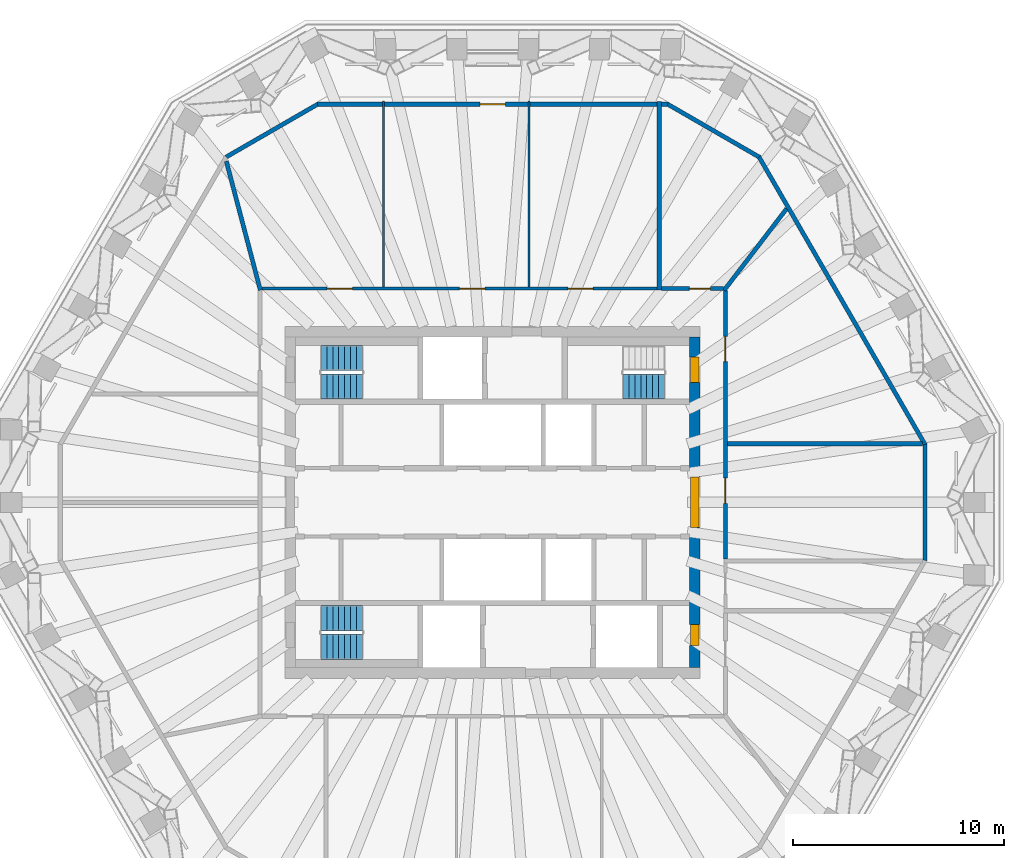
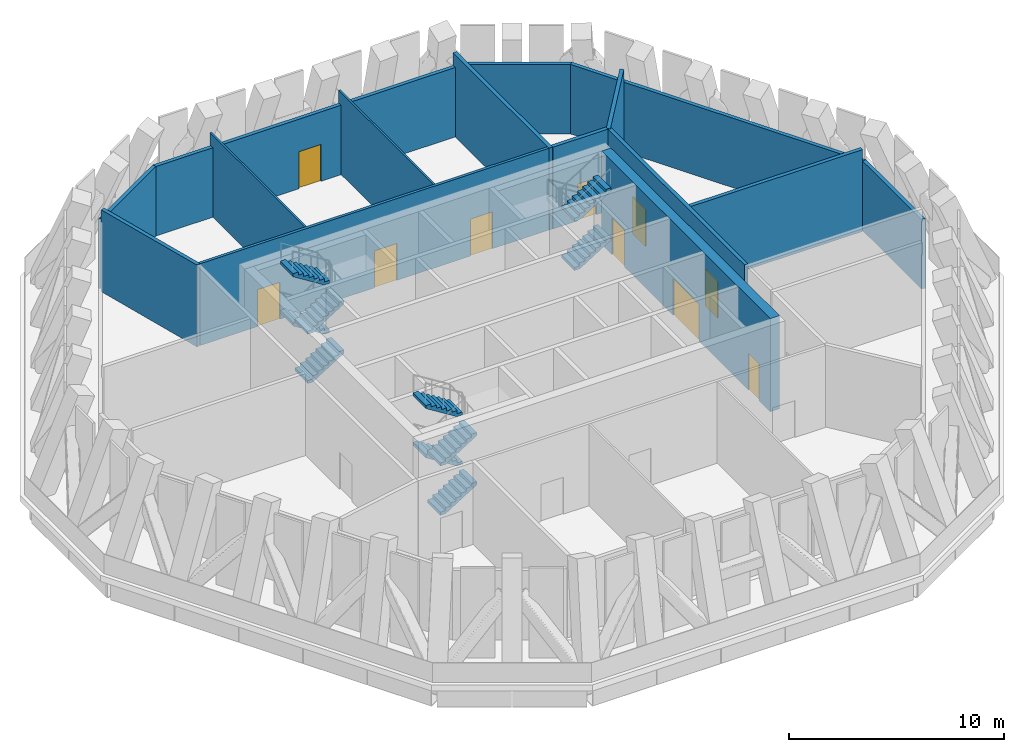
# One storey, part 6 of 9: 15 walls, 10 doors, 10 stair flights, 10 openings, 3 elements without a shape of their own.
"""IFC4 building model written with IfcOpenShell, lengths in metres."""

from ifc_helpers import new_model, si_unit, direction, frame, frame_2d, origin, place, context, subcontext, project, spatial, polyline, rectangle, outline, extrude, material, layer, layer_set, type_object, element, fill, aggregate, save


model = new_model("IFC4")

# Units and contexts
model_context = context("Model", 3, precision=1e-05, world=origin(), true_north=direction((0.0, 1.0)))
body_context = subcontext(model_context, "Body", "Model", "MODEL_VIEW")
ifc_project = project(units=[si_unit("LENGTHUNIT", "METRE"), si_unit("AREAUNIT", "SQUARE_METRE"), si_unit("VOLUMEUNIT", "CUBIC_METRE"), si_unit("PLANEANGLEUNIT", "RADIAN"), si_unit("MASSUNIT", "GRAM", prefix="KILO")], contexts=[model_context])

# Site, building, storey
site_placement = place(None, origin())
site = spatial("IfcSite", under=ifc_project, at=site_placement, CompositionType="ELEMENT")
building_placement = place(site_placement, origin())
building = spatial("IfcBuilding", under=site, at=building_placement, Name="Frailejon Research Tower", CompositionType="ELEMENT")
storey_placement = place(building_placement, frame((0.0, 0.0, 303.0)))
storey = spatial("IfcBuildingStorey", under=building, at=storey_placement, Name="L67", CompositionType="ELEMENT", Elevation=303.0)

# Wall, openings, doors
ifc_material_1 = material(Name="Concrete C50/60", Category="concrete")
ifc_layer_1 = layer(ifc_material_1, 0.5)
ifc_layer_set_1 = layer_set([ifc_layer_1], Name="Core shear wall 500 C50/60")
wall_type_1 = type_object("IfcWallType", Name="Core shear wall 500 C50/60", PredefinedType="SHEAR", material=ifc_layer_set_1)
wall_1_placement = place(storey_placement, frame((9.60009765625, -7.85009765625, 0.0), z_axis=(0.0, 0.0, 1.0), x_axis=(0.0, 1.0, 0.0)))
wall_1 = element("IfcWall", 1, at=wall_1_placement, inside=storey, type_object=wall_type_1, Name="Core shear wall", PredefinedType="SHEAR", context=body_context, shape_type="SweptSolid", body=[
    extrude(rectangle(XDim=15.7001953125, YDim=0.5, at=frame_2d((7.85009765625, 0.0))), origin(), (0.0, 0.0, 1.0), 5.300048828125),
])
opening_1_placement = place(wall_1_placement, frame((6.64990234375, 0.0, 0.0)))
opening_1 = element("IfcOpeningElement", 2, at=opening_1_placement, cuts=wall_1, Name="Opening D2", PredefinedType="OPENING", context=body_context, shape_type="SweptSolid", body=[
    extrude(rectangle(XDim=2.39990234375, YDim=2.10009765625, at=frame_2d((1.199951171875, 1.050048828125))), frame((0.0, 0.260009765625, 0.0), z_axis=(0.0, -1.0, 0.0), x_axis=(1.0, 0.0, 0.0)), (0.0, 0.0, 1.0), 0.52001953125),
])
opening_2_placement = place(wall_1_placement, frame((13.550048828125, 0.0, 0.0)))
opening_2 = element("IfcOpeningElement", 3, at=opening_2_placement, cuts=wall_1, Name="Opening D1", PredefinedType="OPENING", context=body_context, shape_type="SweptSolid", body=[
    extrude(rectangle(XDim=1.199951171875, YDim=2.10009765625, at=frame_2d((0.60009765625, 1.050048828125))), frame((0.0, 0.260009765625, 0.0), z_axis=(0.0, -1.0, 0.0), x_axis=(1.0, 0.0, 0.0)), (0.0, 0.0, 1.0), 0.52001953125),
])
opening_3_placement = place(wall_1_placement, frame((1.050048828125, 0.0, 0.0)))
opening_3 = element("IfcOpeningElement", 4, at=opening_3_placement, cuts=wall_1, Name="Opening D4", PredefinedType="OPENING", context=body_context, shape_type="SweptSolid", body=[
    extrude(rectangle(XDim=1.0, YDim=2.10009765625, at=frame_2d((0.5, 1.050048828125))), frame((0.0, 0.260009765625, 0.0), z_axis=(0.0, -1.0, 0.0), x_axis=(1.0, 0.0, 0.0)), (0.0, 0.0, 1.0), 0.52001953125),
])
ifc_material_2 = material(Name="Steel", Category="steel")
door_type_1 = type_object("IfcDoorType", Name="Lobby double door", OperationType="DOUBLE_DOOR_SINGLE_SWING", PredefinedType="DOOR", material=ifc_material_2)
door_1_placement = place(opening_1_placement, origin())
door_1 = element("IfcDoor", 5, at=door_1_placement, inside=storey, type_object=door_type_1, Name="Lobby door", OperationType="DOUBLE_DOOR_SINGLE_SWING", OverallHeight=2.10009765625, OverallWidth=2.39990234375, PredefinedType="DOOR", context=body_context, shape_type="SweptSolid", body=[
    extrude(rectangle(XDim=2.39990234375, YDim=2.10009765625, at=frame_2d((1.199951171875, 1.050048828125))), frame((0.0, 0.199951171875, 0.0), z_axis=(0.0, -1.0, 0.0), x_axis=(1.0, 0.0, 0.0)), (0.0, 0.0, 1.0), 0.39990234375),
])
fill(opening_1, door_1)
ifc_material_3 = material(Name="Steel", Category="steel")
door_type_2 = type_object("IfcDoorType", Name="Service door", OperationType="SINGLE_SWING_LEFT", PredefinedType="DOOR", material=ifc_material_3)
door_2_placement = place(opening_3_placement, origin())
door_2 = element("IfcDoor", 6, at=door_2_placement, inside=storey, type_object=door_type_2, Name="Riser door", OperationType="SINGLE_SWING_RIGHT", OverallHeight=2.10009765625, OverallWidth=1.0, PredefinedType="DOOR", context=body_context, shape_type="SweptSolid", body=[
    extrude(rectangle(XDim=1.0, YDim=2.10009765625, at=frame_2d((0.5, 1.050048828125))), frame((0.0, 0.199951171875, 0.0), z_axis=(0.0, -1.0, 0.0), x_axis=(1.0, 0.0, 0.0)), (0.0, 0.0, 1.0), 0.39990234375),
])
fill(opening_3, door_2)
ifc_material_4 = material(Name="Steel", Category="steel")
door_type_3 = type_object("IfcDoorType", Name="Stair door", OperationType="SINGLE_SWING_LEFT", PredefinedType="DOOR", material=ifc_material_4)
door_3_placement = place(opening_2_placement, origin())
door_3 = element("IfcDoor", 7, at=door_3_placement, inside=storey, type_object=door_type_3, Name="Stair door ST3", OperationType="SINGLE_SWING_LEFT", OverallHeight=2.10009765625, OverallWidth=1.199951171875, PredefinedType="DOOR", context=body_context, shape_type="SweptSolid", body=[
    extrude(rectangle(XDim=1.199951171875, YDim=2.10009765625, at=frame_2d((0.60009765625, 1.050048828125))), frame((0.0, 0.199951171875, 0.0), z_axis=(0.0, -1.0, 0.0), x_axis=(1.0, 0.0, 0.0)), (0.0, 0.0, 1.0), 0.39990234375),
])
fill(opening_2, door_3)

ifc_material_5 = material(Name="Gypsum board and masonry partition", Category="masonry")
ifc_layer_2 = layer(ifc_material_5, 0.14990234375)
ifc_layer_set_2 = layer_set([ifc_layer_2], Name="Corridor wall EI 60, gypsum on steel studs 150")
wall_type_2 = type_object("IfcWallType", Name="Corridor wall EI 60, gypsum on steel studs 150", PredefinedType="PARTITIONING", material=ifc_layer_set_2)
wall_2_placement = place(storey_placement, frame((-10.949951171875, 10.14990234375, 0.0), z_axis=(0.0, 0.0, 1.0), x_axis=(1.0, 0.0, 0.0)))
wall_2 = element("IfcWall", 8, at=wall_2_placement, inside=storey, type_object=wall_type_2, Name="T:IW:L67:001", PredefinedType="PARTITIONING", context=body_context, shape_type="SweptSolid", body=[
    extrude(rectangle(XDim=18.755615234375, YDim=0.14990234375, at=frame_2d((9.3779296875, 0.0))), origin(), (0.0, 0.0, 1.0), 4.64990234375),
])
opening_4_placement = place(wall_2_placement, frame((14.523681640625, 0.0, 0.0)))
opening_4 = element("IfcOpeningElement", 9, at=opening_4_placement, cuts=wall_2, Name="Opening D1149", PredefinedType="OPENING", context=body_context, shape_type="SweptSolid", body=[
    extrude(rectangle(XDim=1.199951171875, YDim=2.10009765625, at=frame_2d((0.60009765625, 1.050048828125))), frame((0.0, 0.0849609375, 0.0), z_axis=(0.0, -1.0, 0.0), x_axis=(1.0, 0.0, 0.0)), (0.0, 0.0, 1.0), 0.169921875),
])
opening_5_placement = place(wall_2_placement, frame((9.37451171875, 0.0, 0.0)))
opening_5 = element("IfcOpeningElement", 10, at=opening_5_placement, cuts=wall_2, Name="Opening D1150", PredefinedType="OPENING", context=body_context, shape_type="SweptSolid", body=[
    extrude(rectangle(XDim=1.199951171875, YDim=2.10009765625, at=frame_2d((0.60009765625, 1.050048828125))), frame((0.0, 0.0849609375, 0.0), z_axis=(0.0, -1.0, 0.0), x_axis=(1.0, 0.0, 0.0)), (0.0, 0.0, 1.0), 0.169921875),
])
opening_6_placement = place(wall_2_placement, frame((3.090576171875, 0.0, 0.0)))
opening_6 = element("IfcOpeningElement", 11, at=opening_6_placement, cuts=wall_2, Name="Opening D1151", PredefinedType="OPENING", context=body_context, shape_type="SweptSolid", body=[
    extrude(rectangle(XDim=1.199951171875, YDim=2.10009765625, at=frame_2d((0.60009765625, 1.050048828125))), frame((0.0, 0.0849609375, 0.0), z_axis=(0.0, -1.0, 0.0), x_axis=(1.0, 0.0, 0.0)), (0.0, 0.0, 1.0), 0.169921875),
])
ifc_material_6 = material(Name="Timber door leaf", Category="wood")
door_type_4 = type_object("IfcDoorType", Name="Door single leaf, timber, steel frame 1200", OperationType="NOTDEFINED", PredefinedType="DOOR", material=ifc_material_6)
door_4_placement = place(opening_4_placement, origin())
door_4 = element("IfcDoor", 12, at=door_4_placement, inside=storey, type_object=door_type_4, Name="D1149", OperationType="DOUBLE_DOOR_SINGLE_SWING", OverallHeight=2.10009765625, OverallWidth=1.199951171875, PredefinedType="DOOR", context=body_context, shape_type="SweptSolid", body=[
    extrude(rectangle(XDim=1.199951171875, YDim=2.10009765625, at=frame_2d((0.60009765625, 1.050048828125))), frame((0.0, 0.02490234375, 0.0), z_axis=(0.0, -1.0, 0.0), x_axis=(1.0, 0.0, 0.0)), (0.0, 0.0, 1.0), 0.050048828125),
])
fill(opening_4, door_4)
door_5_placement = place(opening_5_placement, origin())
door_5 = element("IfcDoor", 13, at=door_5_placement, inside=storey, type_object=door_type_4, Name="D1150", OperationType="DOUBLE_DOOR_SINGLE_SWING", OverallHeight=2.10009765625, OverallWidth=1.199951171875, PredefinedType="DOOR", context=body_context, shape_type="SweptSolid", body=[
    extrude(rectangle(XDim=1.199951171875, YDim=2.10009765625, at=frame_2d((0.60009765625, 1.050048828125))), frame((0.0, 0.02490234375, 0.0), z_axis=(0.0, -1.0, 0.0), x_axis=(1.0, 0.0, 0.0)), (0.0, 0.0, 1.0), 0.050048828125),
])
fill(opening_5, door_5)
door_6_placement = place(opening_6_placement, origin())
door_6 = element("IfcDoor", 14, at=door_6_placement, inside=storey, type_object=door_type_4, Name="D1151", OperationType="DOUBLE_DOOR_SINGLE_SWING", OverallHeight=2.10009765625, OverallWidth=1.199951171875, PredefinedType="DOOR", context=body_context, shape_type="SweptSolid", body=[
    extrude(rectangle(XDim=1.199951171875, YDim=2.10009765625, at=frame_2d((0.60009765625, 1.050048828125))), frame((0.0, 0.02490234375, 0.0), z_axis=(0.0, -1.0, 0.0), x_axis=(1.0, 0.0, 0.0)), (0.0, 0.0, 1.0), 0.050048828125),
])
fill(opening_6, door_6)

# Walls
ifc_material_7 = material(Name="Aluminium louvre panel wall", Category="aluminium")
ifc_layer_3 = layer(ifc_material_7, 0.199951171875)
ifc_layer_set_3 = layer_set([ifc_layer_3], Name="Louvred plant wall 200")
wall_type_3 = type_object("IfcWallType", Name="Louvred plant wall 200", PredefinedType="SOLIDWALL", material=ifc_layer_set_3)
wall_3_placement = place(storey_placement, frame((20.523681640625, -2.751708984375, 0.0), z_axis=(0.0, 0.0, 1.0), x_axis=(0.0, 1.0, 0.0)))
element("IfcWall", 15, at=wall_3_placement, inside=storey, type_object=wall_type_3, Name="Plant louvre wall L67", PredefinedType="SOLIDWALL", context=body_context, shape_type="SweptSolid", body=[
    extrude(outline(polyline([(-0.02685546875, -0.10009765625), (5.5302734375, -0.10009765625), (5.4765625, 0.10009765625), (0.02685546875, 0.10009765625), (-0.02685546875, -0.10009765625)])), origin(), (0.0, 0.0, 1.0), 3.949951171875),
])
wall_4_placement = place(storey_placement, frame((20.523681640625, 2.751708984375, 0.0), z_axis=(0.0, 0.0, 1.0), x_axis=(-0.499993368965, 0.86602923218, 0.0)))
element("IfcWall", 16, at=wall_4_placement, inside=storey, type_object=wall_type_3, Name="Plant louvre wall L67", PredefinedType="SOLIDWALL", context=body_context, shape_type="SweptSolid", body=[
    extrude(outline(polyline([(-0.02685546875, -0.10009765625), (15.784423828125, -0.10009765625), (15.730712890625, 0.10009765625), (0.02685546875, 0.10009765625), (-0.02685546875, -0.10009765625)])), origin(), (0.0, 0.0, 1.0), 3.949951171875),
])
wall_5_placement = place(storey_placement, frame((12.64501953125, 16.398193359375, 0.0), z_axis=(0.0, 0.0, 1.0), x_axis=(-0.866021443701, 0.500006859004, 0.0)))
element("IfcWall", 17, at=wall_5_placement, inside=storey, type_object=wall_type_3, Name="Plant louvre wall L67", PredefinedType="SOLIDWALL", context=body_context, shape_type="SweptSolid", body=[
    extrude(outline(polyline([(-0.02685546875, -0.10009765625), (5.0302734375, -0.10009765625), (4.9765625, 0.10009765625), (0.02685546875, 0.10009765625), (-0.02685546875, -0.10009765625)])), origin(), (0.0, 0.0, 1.0), 3.949951171875),
])

# Wall, opening, door
wall_6_placement = place(storey_placement, frame((8.31201171875, 18.89990234375, 0.0), z_axis=(0.0, 0.0, 1.0), x_axis=(-1.0, 0.0, 0.0)))
wall_6 = element("IfcWall", 18, at=wall_6_placement, inside=storey, type_object=wall_type_3, Name="Plant louvre wall L67", PredefinedType="SOLIDWALL", context=body_context, shape_type="SweptSolid", body=[
    extrude(outline(polyline([(-0.02685546875, -0.10009765625), (16.65087890625, -0.10009765625), (16.59716796875, 0.10009765625), (0.02685546875, 0.10009765625), (-0.02685546875, -0.10009765625)])), origin(), (0.0, 0.0, 1.0), 3.949951171875),
])
opening_7_placement = place(wall_6_placement, frame((7.7119140625, 0.0, 0.0)))
opening_7 = element("IfcOpeningElement", 19, at=opening_7_placement, cuts=wall_6, Name="Opening PG67-1", PredefinedType="OPENING", context=body_context, shape_type="SweptSolid", body=[
    extrude(rectangle(XDim=1.199951171875, YDim=2.10009765625, at=frame_2d((0.60009765625, 1.050048828125))), frame((0.0, 0.10986328125, 0.0), z_axis=(0.0, -1.0, 0.0), x_axis=(1.0, 0.0, 0.0)), (0.0, 0.0, 1.0), 0.219970703125),
])
ifc_material_8 = material(Name="Steel door leaf", Category="steel")
door_type_5 = type_object("IfcDoorType", Name="Plant gallery door 1200x2100", OperationType="SINGLE_SWING_RIGHT", PredefinedType="DOOR", material=ifc_material_8)
door_7_placement = place(opening_7_placement, origin())
door_7 = element("IfcDoor", 20, at=door_7_placement, inside=storey, type_object=door_type_5, Name="Door PG67-1", OperationType="SINGLE_SWING_RIGHT", OverallHeight=2.10009765625, OverallWidth=1.199951171875, PredefinedType="DOOR", context=body_context, shape_type="SweptSolid", body=[
    extrude(rectangle(XDim=1.199951171875, YDim=2.10009765625, at=frame_2d((0.60009765625, 1.050048828125))), frame((0.0, 0.02490234375, 0.0), z_axis=(0.0, -1.0, 0.0), x_axis=(1.0, 0.0, 0.0)), (0.0, 0.0, 1.0), 0.050048828125),
])
fill(opening_7, door_7)

# Walls
wall_7_placement = place(storey_placement, frame((-8.31201171875, 18.89990234375, 0.0), z_axis=(0.0, 0.0, 1.0), x_axis=(-0.866021443701, -0.500006859004, 0.0)))
element("IfcWall", 21, at=wall_7_placement, inside=storey, type_object=wall_type_3, Name="Plant louvre wall L67", PredefinedType="SOLIDWALL", context=body_context, shape_type="SweptSolid", body=[
    extrude(outline(polyline([(-0.02685546875, -0.10009765625), (5.0302734375, -0.10009765625), (4.9765625, 0.10009765625), (0.02685546875, 0.10009765625), (-0.02685546875, -0.10009765625)])), origin(), (0.0, 0.0, 1.0), 3.949951171875),
])
ifc_material_9 = material(Name="Gypsum board and masonry partition", Category="masonry")
ifc_layer_4 = layer(ifc_material_9, 0.10009765625)
ifc_layer_set_4 = layer_set([ifc_layer_4], Name="Partition, gypsum on steel studs 100")
wall_type_4 = type_object("IfcWallType", Name="Partition, gypsum on steel studs 100", PredefinedType="PARTITIONING", material=ifc_layer_set_4)
for number, where, z_axis, x_axis, name in (
    (22, (1.725830078125, 10.22509765625, 0.0), (0.0, 0.0, 1.0), (0.0, 1.0, 0.0), "T:IW:L67:004"),
    (23, (-5.177490234375, 10.22509765625, 0.0), (0.0, 0.0, 1.0), (0.0, 1.0, 0.0), "T:IW:L67:005"),
):
    element("IfcWall", number, at=place(storey_placement, frame(where, z_axis=z_axis, x_axis=x_axis)), inside=storey, type_object=wall_type_4, Name=name, PredefinedType="PARTITIONING", context=body_context, shape_type="SweptSolid", body=[
        extrude(rectangle(XDim=8.824951171875, YDim=0.10009765625, at=frame_2d((4.41259765625, 0.0))), origin(), (0.0, 0.0, 1.0), 4.64990234375),
    ])

# Wall, openings, doors
ifc_material_10 = material(Name="Gypsum board and masonry partition", Category="masonry")
ifc_layer_5 = layer(ifc_material_10, 0.199951171875)
ifc_layer_set_5 = layer_set([ifc_layer_5], Name="Plant enclosure wall, blockwork 200")
wall_type_5 = type_object("IfcWallType", Name="Plant enclosure wall, blockwork 200", PredefinedType="PARTITIONING", material=ifc_layer_set_5)
wall_8_placement = place(storey_placement, frame((11.050048828125, -2.678466796875, 0.0), z_axis=(0.0, 0.0, 1.0), x_axis=(0.0, 1.0, 0.0)))
wall_8 = element("IfcWall", 24, at=wall_8_placement, inside=storey, type_object=wall_type_5, Name="T:IW:L67:009", PredefinedType="PARTITIONING", context=body_context, shape_type="SweptSolid", body=[
    extrude(rectangle(XDim=12.728515625, YDim=0.199951171875, at=frame_2d((6.3642578125, 0.0))), origin(), (0.0, 0.0, 1.0), 4.64990234375),
])
opening_8_placement = place(wall_8_placement, frame((9.363525390625, 0.0, 0.0)))
opening_8 = element("IfcOpeningElement", 25, at=opening_8_placement, cuts=wall_8, Name="Opening D1147", PredefinedType="OPENING", context=body_context, shape_type="SweptSolid", body=[
    extrude(rectangle(XDim=1.199951171875, YDim=2.10009765625, at=frame_2d((0.60009765625, 1.050048828125))), frame((0.0, 0.10986328125, 0.0), z_axis=(0.0, -1.0, 0.0), x_axis=(1.0, 0.0, 0.0)), (0.0, 0.0, 1.0), 0.219970703125),
])
opening_9_placement = place(wall_8_placement, frame((2.626953125, 0.0, 0.0)))
opening_9 = element("IfcOpeningElement", 26, at=opening_9_placement, cuts=wall_8, Name="Opening D1161", PredefinedType="OPENING", context=body_context, shape_type="SweptSolid", body=[
    extrude(rectangle(XDim=1.199951171875, YDim=2.10009765625, at=frame_2d((0.60009765625, 1.050048828125))), frame((0.0, 0.10986328125, 0.0), z_axis=(0.0, -1.0, 0.0), x_axis=(1.0, 0.0, 0.0)), (0.0, 0.0, 1.0), 0.219970703125),
])
ifc_material_11 = material(Name="Steel door leaf", Category="steel")
door_type_6 = type_object("IfcDoorType", Name="Door plant room, steel 1200", OperationType="NOTDEFINED", PredefinedType="DOOR", material=ifc_material_11)
door_8_placement = place(opening_8_placement, origin())
door_8 = element("IfcDoor", 27, at=door_8_placement, inside=storey, type_object=door_type_6, Name="D1147", OperationType="DOUBLE_DOOR_SINGLE_SWING", OverallHeight=2.10009765625, OverallWidth=1.199951171875, PredefinedType="DOOR", context=body_context, shape_type="SweptSolid", body=[
    extrude(rectangle(XDim=1.199951171875, YDim=2.10009765625, at=frame_2d((0.60009765625, 1.050048828125))), frame((0.0, 0.02490234375, 0.0), z_axis=(0.0, -1.0, 0.0), x_axis=(1.0, 0.0, 0.0)), (0.0, 0.0, 1.0), 0.050048828125),
])
fill(opening_8, door_8)
door_9_placement = place(opening_9_placement, origin())
door_9 = element("IfcDoor", 28, at=door_9_placement, inside=storey, type_object=door_type_6, Name="D1161", OperationType="DOUBLE_DOOR_SINGLE_SWING", OverallHeight=2.10009765625, OverallWidth=1.199951171875, PredefinedType="DOOR", context=body_context, shape_type="SweptSolid", body=[
    extrude(rectangle(XDim=1.199951171875, YDim=2.10009765625, at=frame_2d((0.60009765625, 1.050048828125))), frame((0.0, 0.02490234375, 0.0), z_axis=(0.0, -1.0, 0.0), x_axis=(1.0, 0.0, 0.0)), (0.0, 0.0, 1.0), 0.050048828125),
])
fill(opening_9, door_9)

# Wall, opening, door
wall_9_placement = place(storey_placement, frame((8.005615234375, 10.14990234375, 0.0), z_axis=(0.0, 0.0, 1.0), x_axis=(1.0, 0.0, 0.0)))
wall_9 = element("IfcWall", 29, at=wall_9_placement, inside=storey, type_object=wall_type_5, Name="T:IW:L67:010", PredefinedType="PARTITIONING", context=body_context, shape_type="SweptSolid", body=[
    extrude(rectangle(XDim=2.9443359375, YDim=0.199951171875, at=frame_2d((1.47216796875, 0.0))), origin(), (0.0, 0.0, 1.0), 4.64990234375),
])
opening_10_placement = place(wall_9_placement, frame((1.333251953125, 0.0, 0.0)))
opening_10 = element("IfcOpeningElement", 30, at=opening_10_placement, cuts=wall_9, Name="Opening D1148", PredefinedType="OPENING", context=body_context, shape_type="SweptSolid", body=[
    extrude(rectangle(XDim=1.0, YDim=2.10009765625, at=frame_2d((0.5, 1.050048828125))), frame((0.0, 0.10986328125, 0.0), z_axis=(0.0, -1.0, 0.0), x_axis=(1.0, 0.0, 0.0)), (0.0, 0.0, 1.0), 0.219970703125),
])
ifc_material_12 = material(Name="Steel door leaf", Category="steel")
door_type_7 = type_object("IfcDoorType", Name="Door plant room, steel 1000", OperationType="NOTDEFINED", PredefinedType="DOOR", material=ifc_material_12)
door_10_placement = place(opening_10_placement, origin())
door_10 = element("IfcDoor", 31, at=door_10_placement, inside=storey, type_object=door_type_7, Name="D1148", OperationType="SINGLE_SWING_LEFT", OverallHeight=2.10009765625, OverallWidth=1.0, PredefinedType="DOOR", context=body_context, shape_type="SweptSolid", body=[
    extrude(rectangle(XDim=1.0, YDim=2.10009765625, at=frame_2d((0.5, 1.050048828125))), frame((0.0, 0.02490234375, 0.0), z_axis=(0.0, -1.0, 0.0), x_axis=(1.0, 0.0, 0.0)), (0.0, 0.0, 1.0), 0.050048828125),
])
fill(opening_10, door_10)

# Walls
wall_10_placement = place(storey_placement, frame((10.9892578125, 10.070556640625, 0.0), z_axis=(0.0, 0.0, 1.0), x_axis=(0.608062089336, 0.793889473109, 0.0)))
element("IfcWall", 32, at=wall_10_placement, inside=storey, type_object=wall_type_5, Name="T:IW:L67:013", PredefinedType="PARTITIONING", context=body_context, shape_type="SweptSolid", body=[
    extrude(rectangle(XDim=4.870361328125, YDim=0.199951171875, at=frame_2d((2.43505859375, 0.0))), origin(), (0.0, 0.0, 1.0), 4.64990234375),
])
wall_11_placement = place(storey_placement, frame((11.14990234375, 2.778564453125, 0.0), z_axis=(0.0, 0.0, 1.0), x_axis=(1.0, 0.0, 0.0)))
element("IfcWall", 33, at=wall_11_placement, inside=storey, type_object=wall_type_5, Name="T:IW:L67:014", PredefinedType="PARTITIONING", context=body_context, shape_type="SweptSolid", body=[
    extrude(rectangle(XDim=9.242919921875, YDim=0.199951171875, at=frame_2d((4.62158203125, 0.0))), origin(), (0.0, 0.0, 1.0), 4.64990234375),
])
wall_12_placement = place(storey_placement, frame((7.90576171875, 10.074951171875, 0.0), z_axis=(0.0, 0.0, 1.0), x_axis=(0.0, 1.0, 0.0)))
element("IfcWall", 34, at=wall_12_placement, inside=storey, type_object=wall_type_5, Name="T:IW:L67:015", PredefinedType="PARTITIONING", context=body_context, shape_type="SweptSolid", body=[
    extrude(rectangle(XDim=8.944091796875, YDim=0.199951171875, at=frame_2d((4.47216796875, 0.0))), origin(), (0.0, 0.0, 1.0), 4.64990234375),
])
wall_13_placement = place(storey_placement, frame((-12.645751953125, 16.197021484375, 0.0), z_axis=(0.0, 0.0, 1.0), x_axis=(0.255131220855, -0.966906438155, 0.0)))
element("IfcWall", 35, at=wall_13_placement, inside=storey, type_object=wall_type_5, Name="T:IW:L67:016", PredefinedType="PARTITIONING", context=body_context, shape_type="SweptSolid", body=[
    extrude(rectangle(XDim=6.3291015625, YDim=0.199951171875, at=frame_2d((3.16455078125, 0.0))), origin(), (0.0, 0.0, 1.0), 4.64990234375),
])

# Stair, stair flights
ifc_material_13 = material(Name="Concrete C50/60", Category="concrete")
stair_type = type_object("IfcStairType", Name="Exit stair 32 risers", PredefinedType="HALF_TURN_STAIR", material=ifc_material_13)
stair_1_placement = place(storey_placement, origin())
stair_1 = element("IfcStair", 36, at=stair_1_placement, inside=storey, type_object=stair_type, Name="L67 Exit stair ST1", PredefinedType="HALF_TURN_STAIR")
ifc_material_14 = material(Name="Concrete C50/60", Category="concrete")
ifc_layer_6 = layer(ifc_material_14, 0.14990234375)
ifc_layer_set_6 = layer_set([ifc_layer_6], Name="Stair flight 8 risers")
stair_flight_type = type_object("IfcStairFlightType", Name="Stair flight 8 risers", PredefinedType="STRAIGHT", material=ifc_layer_set_6)
stair_flight_1_placement = place(storey_placement, frame((-8.14990234375, 5.5, 0.0), z_axis=(0.0, 0.0, 1.0), x_axis=(1.0, 0.0, 0.0)))
stair_flight_1 = element("IfcStairFlight", 37, at=stair_flight_1_placement, type_object=stair_flight_type, Name="ST1 flight 1", NumberOfRisers=8, NumberOfTreads=7, PredefinedType="STRAIGHT", RiserHeight=0.175, TreadLength=0.28, context=body_context, shape_type="SweptSolid", body=[
    extrude(outline(polyline([(0.0, 0.0), (0.0, 0.175048828125), (0.280029296875, 0.175048828125), (0.280029296875, 0.35009765625), (0.56005859375, 0.35009765625), (0.56005859375, 0.52490234375), (0.840087890625, 0.52490234375), (0.840087890625, 0.699951171875), (1.1201171875, 0.699951171875), (1.1201171875, 0.875), (1.39990234375, 0.875), (1.39990234375, 1.050048828125), (1.679931640625, 1.050048828125), (1.679931640625, 1.22509765625), (1.9599609375, 1.22509765625), (1.9599609375, 1.39990234375), (1.9599609375, 1.04833984375), (0.28271484375, 0.0), (0.0, 0.0)])), frame((0.0, 0.60009765625, 0.0), z_axis=(0.0, -1.0, 0.0), x_axis=(1.0, 0.0, 0.0)), (0.0, 0.0, 1.0), 1.199951171875),
])
stair_flight_2_placement = place(storey_placement, frame((-6.18994140625, 6.85009765625, 1.39990234375), z_axis=(0.0, 0.0, 1.0), x_axis=(-1.0, 0.0, 0.0)))
stair_flight_2 = element("IfcStairFlight", 38, at=stair_flight_2_placement, type_object=stair_flight_type, Name="ST1 flight 2", NumberOfRisers=8, NumberOfTreads=7, PredefinedType="STRAIGHT", RiserHeight=0.175, TreadLength=0.28, context=body_context, shape_type="SweptSolid", body=[
    extrude(outline(polyline([(0.0, 0.0), (0.0, 0.175048828125), (0.280029296875, 0.175048828125), (0.280029296875, 0.35009765625), (0.56005859375, 0.35009765625), (0.56005859375, 0.52490234375), (0.840087890625, 0.52490234375), (0.840087890625, 0.699951171875), (1.1201171875, 0.699951171875), (1.1201171875, 0.875), (1.39990234375, 0.875), (1.39990234375, 1.050048828125), (1.679931640625, 1.050048828125), (1.679931640625, 1.22509765625), (1.9599609375, 1.22509765625), (1.9599609375, 1.39990234375), (1.9599609375, 1.04833984375), (0.28271484375, 0.0), (0.0, 0.0)])), frame((0.0, 0.60009765625, 0.0), z_axis=(0.0, -1.0, 0.0), x_axis=(1.0, 0.0, 0.0)), (0.0, 0.0, 1.0), 1.199951171875),
])
stair_flight_3_placement = place(storey_placement, frame((-8.14990234375, 5.5, 2.800048828125), z_axis=(0.0, 0.0, 1.0), x_axis=(1.0, 0.0, 0.0)))
stair_flight_3 = element("IfcStairFlight", 39, at=stair_flight_3_placement, type_object=stair_flight_type, Name="ST1 flight 3", NumberOfRisers=8, NumberOfTreads=7, PredefinedType="STRAIGHT", RiserHeight=0.175, TreadLength=0.28, context=body_context, shape_type="SweptSolid", body=[
    extrude(outline(polyline([(0.0, 0.0), (0.0, 0.175048828125), (0.280029296875, 0.175048828125), (0.280029296875, 0.35009765625), (0.56005859375, 0.35009765625), (0.56005859375, 0.52490234375), (0.840087890625, 0.52490234375), (0.840087890625, 0.699951171875), (1.1201171875, 0.699951171875), (1.1201171875, 0.875), (1.39990234375, 0.875), (1.39990234375, 1.050048828125), (1.679931640625, 1.050048828125), (1.679931640625, 1.22509765625), (1.9599609375, 1.22509765625), (1.9599609375, 1.39990234375), (1.9599609375, 1.04833984375), (0.28271484375, 0.0), (0.0, 0.0)])), frame((0.0, 0.60009765625, 0.0), z_axis=(0.0, -1.0, 0.0), x_axis=(1.0, 0.0, 0.0)), (0.0, 0.0, 1.0), 1.199951171875),
])
stair_flight_4_placement = place(storey_placement, frame((-6.18994140625, 6.85009765625, 4.199951171875), z_axis=(0.0, 0.0, 1.0), x_axis=(-1.0, 0.0, 0.0)))
stair_flight_4 = element("IfcStairFlight", 40, at=stair_flight_4_placement, type_object=stair_flight_type, Name="ST1 flight 4", NumberOfRisers=8, NumberOfTreads=7, PredefinedType="STRAIGHT", RiserHeight=0.175, TreadLength=0.28, context=body_context, shape_type="SweptSolid", body=[
    extrude(outline(polyline([(0.0, 0.0), (0.0, 0.175048828125), (0.280029296875, 0.175048828125), (0.280029296875, 0.35009765625), (0.56005859375, 0.35009765625), (0.56005859375, 0.52490234375), (0.840087890625, 0.52490234375), (0.840087890625, 0.699951171875), (1.1201171875, 0.699951171875), (1.1201171875, 0.875), (1.39990234375, 0.875), (1.39990234375, 1.050048828125), (1.679931640625, 1.050048828125), (1.679931640625, 1.22509765625), (1.9599609375, 1.22509765625), (1.9599609375, 1.39990234375), (1.9599609375, 1.04833984375), (0.28271484375, 0.0), (0.0, 0.0)])), frame((0.0, 0.60009765625, 0.0), z_axis=(0.0, -1.0, 0.0), x_axis=(1.0, 0.0, 0.0)), (0.0, 0.0, 1.0), 1.199951171875),
])
aggregate(stair_1, [stair_flight_1, stair_flight_2, stair_flight_3, stair_flight_4])

stair_2_placement = place(storey_placement, origin())
stair_2 = element("IfcStair", 41, at=stair_2_placement, inside=storey, type_object=stair_type, Name="L67 Exit stair ST2", PredefinedType="HALF_TURN_STAIR")
stair_flight_5_placement = place(storey_placement, frame((-8.14990234375, -6.85009765625, 0.0), z_axis=(0.0, 0.0, 1.0), x_axis=(1.0, 0.0, 0.0)))
stair_flight_5 = element("IfcStairFlight", 42, at=stair_flight_5_placement, type_object=stair_flight_type, Name="ST2 flight 1", NumberOfRisers=8, NumberOfTreads=7, PredefinedType="STRAIGHT", RiserHeight=0.175, TreadLength=0.28, context=body_context, shape_type="SweptSolid", body=[
    extrude(outline(polyline([(0.0, 0.0), (0.0, 0.175048828125), (0.280029296875, 0.175048828125), (0.280029296875, 0.35009765625), (0.56005859375, 0.35009765625), (0.56005859375, 0.52490234375), (0.840087890625, 0.52490234375), (0.840087890625, 0.699951171875), (1.1201171875, 0.699951171875), (1.1201171875, 0.875), (1.39990234375, 0.875), (1.39990234375, 1.050048828125), (1.679931640625, 1.050048828125), (1.679931640625, 1.22509765625), (1.9599609375, 1.22509765625), (1.9599609375, 1.39990234375), (1.9599609375, 1.04833984375), (0.28271484375, 0.0), (0.0, 0.0)])), frame((0.0, 0.60009765625, 0.0), z_axis=(0.0, -1.0, 0.0), x_axis=(1.0, 0.0, 0.0)), (0.0, 0.0, 1.0), 1.199951171875),
])
stair_flight_6_placement = place(storey_placement, frame((-6.18994140625, -5.5, 1.39990234375), z_axis=(0.0, 0.0, 1.0), x_axis=(-1.0, 0.0, 0.0)))
stair_flight_6 = element("IfcStairFlight", 43, at=stair_flight_6_placement, type_object=stair_flight_type, Name="ST2 flight 2", NumberOfRisers=8, NumberOfTreads=7, PredefinedType="STRAIGHT", RiserHeight=0.175, TreadLength=0.28, context=body_context, shape_type="SweptSolid", body=[
    extrude(outline(polyline([(0.0, 0.0), (0.0, 0.175048828125), (0.280029296875, 0.175048828125), (0.280029296875, 0.35009765625), (0.56005859375, 0.35009765625), (0.56005859375, 0.52490234375), (0.840087890625, 0.52490234375), (0.840087890625, 0.699951171875), (1.1201171875, 0.699951171875), (1.1201171875, 0.875), (1.39990234375, 0.875), (1.39990234375, 1.050048828125), (1.679931640625, 1.050048828125), (1.679931640625, 1.22509765625), (1.9599609375, 1.22509765625), (1.9599609375, 1.39990234375), (1.9599609375, 1.04833984375), (0.28271484375, 0.0), (0.0, 0.0)])), frame((0.0, 0.60009765625, 0.0), z_axis=(0.0, -1.0, 0.0), x_axis=(1.0, 0.0, 0.0)), (0.0, 0.0, 1.0), 1.199951171875),
])
stair_flight_7_placement = place(storey_placement, frame((-8.14990234375, -6.85009765625, 2.800048828125), z_axis=(0.0, 0.0, 1.0), x_axis=(1.0, 0.0, 0.0)))
stair_flight_7 = element("IfcStairFlight", 44, at=stair_flight_7_placement, type_object=stair_flight_type, Name="ST2 flight 3", NumberOfRisers=8, NumberOfTreads=7, PredefinedType="STRAIGHT", RiserHeight=0.175, TreadLength=0.28, context=body_context, shape_type="SweptSolid", body=[
    extrude(outline(polyline([(0.0, 0.0), (0.0, 0.175048828125), (0.280029296875, 0.175048828125), (0.280029296875, 0.35009765625), (0.56005859375, 0.35009765625), (0.56005859375, 0.52490234375), (0.840087890625, 0.52490234375), (0.840087890625, 0.699951171875), (1.1201171875, 0.699951171875), (1.1201171875, 0.875), (1.39990234375, 0.875), (1.39990234375, 1.050048828125), (1.679931640625, 1.050048828125), (1.679931640625, 1.22509765625), (1.9599609375, 1.22509765625), (1.9599609375, 1.39990234375), (1.9599609375, 1.04833984375), (0.28271484375, 0.0), (0.0, 0.0)])), frame((0.0, 0.60009765625, 0.0), z_axis=(0.0, -1.0, 0.0), x_axis=(1.0, 0.0, 0.0)), (0.0, 0.0, 1.0), 1.199951171875),
])
stair_flight_8_placement = place(storey_placement, frame((-6.18994140625, -5.5, 4.199951171875), z_axis=(0.0, 0.0, 1.0), x_axis=(-1.0, 0.0, 0.0)))
stair_flight_8 = element("IfcStairFlight", 45, at=stair_flight_8_placement, type_object=stair_flight_type, Name="ST2 flight 4", NumberOfRisers=8, NumberOfTreads=7, PredefinedType="STRAIGHT", RiserHeight=0.175, TreadLength=0.28, context=body_context, shape_type="SweptSolid", body=[
    extrude(outline(polyline([(0.0, 0.0), (0.0, 0.175048828125), (0.280029296875, 0.175048828125), (0.280029296875, 0.35009765625), (0.56005859375, 0.35009765625), (0.56005859375, 0.52490234375), (0.840087890625, 0.52490234375), (0.840087890625, 0.699951171875), (1.1201171875, 0.699951171875), (1.1201171875, 0.875), (1.39990234375, 0.875), (1.39990234375, 1.050048828125), (1.679931640625, 1.050048828125), (1.679931640625, 1.22509765625), (1.9599609375, 1.22509765625), (1.9599609375, 1.39990234375), (1.9599609375, 1.04833984375), (0.28271484375, 0.0), (0.0, 0.0)])), frame((0.0, 0.60009765625, 0.0), z_axis=(0.0, -1.0, 0.0), x_axis=(1.0, 0.0, 0.0)), (0.0, 0.0, 1.0), 1.199951171875),
])
aggregate(stair_2, [stair_flight_5, stair_flight_6, stair_flight_7, stair_flight_8])

stair_3_placement = place(storey_placement, origin())
stair_3 = element("IfcStair", 46, at=stair_3_placement, inside=storey, type_object=stair_type, Name="L67 Exit stair ST3", PredefinedType="HALF_TURN_STAIR")
stair_flight_9_placement = place(storey_placement, frame((6.18994140625, 5.5, 1.39990234375), z_axis=(0.0, 0.0, 1.0), x_axis=(1.0, 0.0, 0.0)))
stair_flight_9 = element("IfcStairFlight", 47, at=stair_flight_9_placement, type_object=stair_flight_type, Name="ST3 flight 2", NumberOfRisers=8, NumberOfTreads=7, PredefinedType="STRAIGHT", RiserHeight=0.175, TreadLength=0.28, context=body_context, shape_type="SweptSolid", body=[
    extrude(outline(polyline([(0.0, 0.0), (0.0, 0.175048828125), (0.280029296875, 0.175048828125), (0.280029296875, 0.35009765625), (0.56005859375, 0.35009765625), (0.56005859375, 0.52490234375), (0.840087890625, 0.52490234375), (0.840087890625, 0.699951171875), (1.1201171875, 0.699951171875), (1.1201171875, 0.875), (1.39990234375, 0.875), (1.39990234375, 1.050048828125), (1.679931640625, 1.050048828125), (1.679931640625, 1.22509765625), (1.9599609375, 1.22509765625), (1.9599609375, 1.39990234375), (1.9599609375, 1.04833984375), (0.28271484375, 0.0), (0.0, 0.0)])), frame((0.0, 0.60009765625, 0.0), z_axis=(0.0, -1.0, 0.0), x_axis=(1.0, 0.0, 0.0)), (0.0, 0.0, 1.0), 1.199951171875),
])
stair_flight_10_placement = place(storey_placement, frame((6.18994140625, 5.5, 4.199951171875), z_axis=(0.0, 0.0, 1.0), x_axis=(1.0, 0.0, 0.0)))
stair_flight_10 = element("IfcStairFlight", 48, at=stair_flight_10_placement, type_object=stair_flight_type, Name="ST3 flight 4", NumberOfRisers=8, NumberOfTreads=7, PredefinedType="STRAIGHT", RiserHeight=0.175, TreadLength=0.28, context=body_context, shape_type="SweptSolid", body=[
    extrude(outline(polyline([(0.0, 0.0), (0.0, 0.175048828125), (0.280029296875, 0.175048828125), (0.280029296875, 0.35009765625), (0.56005859375, 0.35009765625), (0.56005859375, 0.52490234375), (0.840087890625, 0.52490234375), (0.840087890625, 0.699951171875), (1.1201171875, 0.699951171875), (1.1201171875, 0.875), (1.39990234375, 0.875), (1.39990234375, 1.050048828125), (1.679931640625, 1.050048828125), (1.679931640625, 1.22509765625), (1.9599609375, 1.22509765625), (1.9599609375, 1.39990234375), (1.9599609375, 1.04833984375), (0.28271484375, 0.0), (0.0, 0.0)])), frame((0.0, 0.60009765625, 0.0), z_axis=(0.0, -1.0, 0.0), x_axis=(1.0, 0.0, 0.0)), (0.0, 0.0, 1.0), 1.199951171875),
])
aggregate(stair_3, [stair_flight_9, stair_flight_10])

save(model, "model.ifc")
